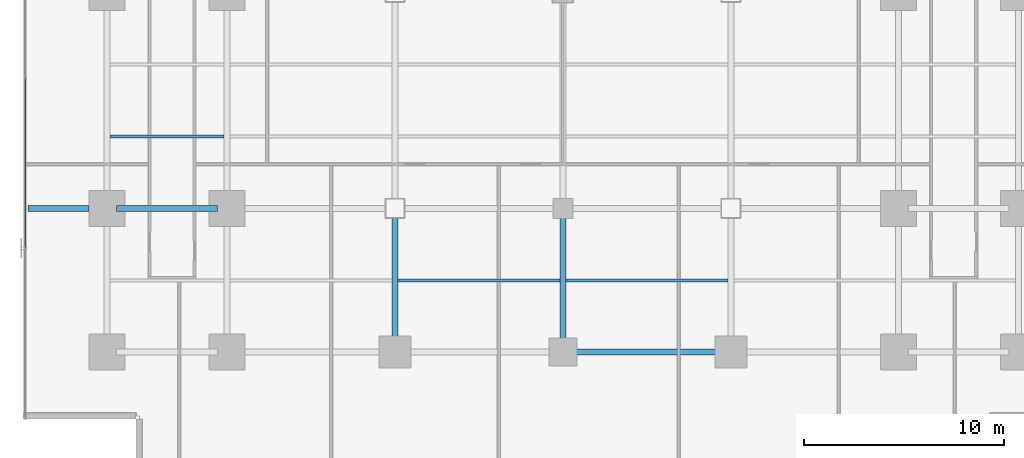
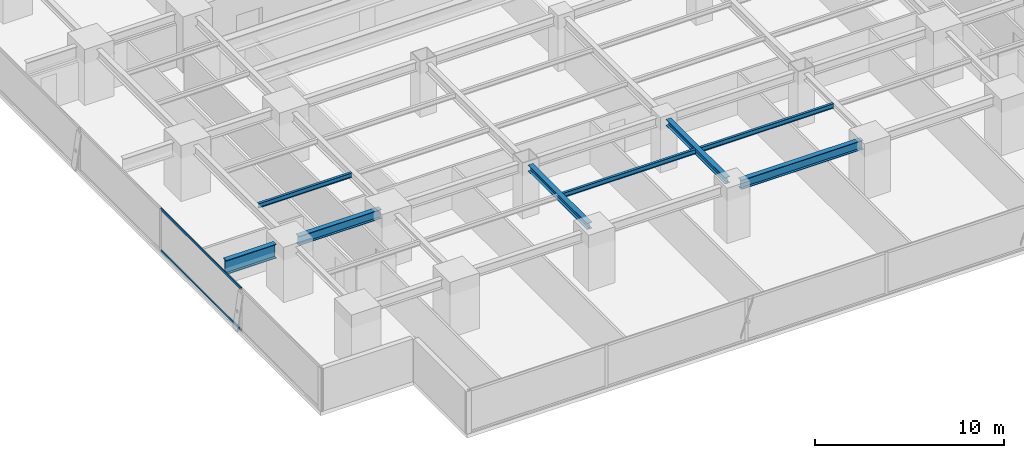
# One storey, part 6 of 34: 8 beams, 2 members, 1 element without a shape of its own.
"""IFC4 building model written with IfcOpenShell, lengths in metres."""

from ifc_helpers import new_model, si_unit, direction, frame, origin, origin_2d, place, context, subcontext, project, spatial, hollow_rectangle, i_section, extrude, source, transform, mapped, material, layer, layer_set, material_profile, profile_set, type_object, element, aggregate, save


model = new_model("IFC4")

# Units and contexts
model_context = context("Model", 3, precision=1e-05, world=origin(), true_north=direction((0.0, 1.0)))
body_context = subcontext(model_context, "Body", "Model", "MODEL_VIEW")
ifc_project = project(units=[si_unit("LENGTHUNIT", "METRE"), si_unit("AREAUNIT", "SQUARE_METRE"), si_unit("VOLUMEUNIT", "CUBIC_METRE"), si_unit("PLANEANGLEUNIT", "RADIAN"), si_unit("MASSUNIT", "GRAM", prefix="KILO")], contexts=[model_context])

# Site, building, storey
site_placement = place(None, origin())
site = spatial("IfcSite", under=ifc_project, at=site_placement, CompositionType="ELEMENT")
building_placement = place(site_placement, origin())
building = spatial("IfcBuilding", under=site, at=building_placement, Name="Sumidabori Civic Tower", CompositionType="ELEMENT")
storey_placement = place(building_placement, frame((0.0, 0.0, 34.39990234375)))
storey = spatial("IfcBuildingStorey", under=building, at=storey_placement, Name="L08", CompositionType="ELEMENT", Elevation=34.39990234375)

# Beams
ifc_material_1 = material(Name="Steel SN490", Category="steel")
ifc_material_profile_1 = material_profile(ifc_material_1, i_section(OverallWidth=0.300048828125, OverallDepth=0.60009765625, WebThickness=0.015380859375, FlangeThickness=0.030029296875, at=origin_2d()), Name="HE 600 B")
ifc_profile_set_1 = profile_set([ifc_material_profile_1], Name="Steel SN490")
beam_type_1 = type_object("IfcBeamType", Name="BM-GIRD-600", PredefinedType="BEAM", material=ifc_profile_set_1)
shared_shape_1 = source(origin(), body_context, "Body", "SweptSolid", [
    extrude(i_section(OverallWidth=0.300048828125, OverallDepth=0.60009765625, WebThickness=0.015380859375, FlangeThickness=0.030029296875, at=origin_2d()), origin(), (0.0, 0.0, 1.0), 5.0400390625),
])
beam_1_placement = place(storey_placement, frame((-22.320068359375, -10.800048828125, 3.06005859375), z_axis=(1.0, 0.0, 0.0), x_axis=(0.0, 1.0, 0.0)))
element("IfcBeam", 1, at=beam_1_placement, inside=storey, type_object=beam_type_1, Name="Primary Girder L08 GX-07", PredefinedType="BEAM", context=body_context, shape_type="MappedRepresentation", body=[
    mapped(shared_shape_1, transform((0.0, 0.0, 0.0), x_axis=(1.0, 0.0, 0.0), y_axis=(0.0, 1.0, 0.0), z_axis=(0.0, 0.0, 1.0), scale=1.0)),
])
shared_shape_2 = source(origin(), body_context, "Body", "SweptSolid", [
    extrude(i_section(OverallWidth=0.300048828125, OverallDepth=0.60009765625, WebThickness=0.015380859375, FlangeThickness=0.030029296875, at=origin_2d()), origin(), (0.0, 0.0, 1.0), 7.43994140625),
])
beam_2_placement = place(storey_placement, frame((0.47998046875, -18.0, 3.06005859375), z_axis=(1.0, 0.0, 0.0), x_axis=(0.0, 1.0, 0.0)))
element("IfcBeam", 2, at=beam_2_placement, inside=storey, type_object=beam_type_1, Name="Primary Girder L08 GX-04", PredefinedType="BEAM", context=body_context, shape_type="MappedRepresentation", body=[
    mapped(shared_shape_2, transform((0.0, 0.0, 0.0), x_axis=(1.0, 0.0, 0.0), y_axis=(0.0, 1.0, 0.0), z_axis=(0.0, 0.0, 1.0), scale=1.0)),
])
ifc_material_profile_2 = material_profile(ifc_material_1, i_section(OverallWidth=0.300048828125, OverallDepth=0.39990234375, WebThickness=0.013427734375, FlangeThickness=0.02392578125, at=origin_2d()), Name="HE 400 B")
ifc_profile_set_2 = profile_set([ifc_material_profile_2], Name="Steel SN490")
beam_type_2 = type_object("IfcBeamType", Name="BM-GIRD-400", PredefinedType="BEAM", material=ifc_profile_set_2)
shared_shape_3 = source(origin(), body_context, "Body", "SweptSolid", [
    extrude(i_section(OverallWidth=0.300048828125, OverallDepth=0.39990234375, WebThickness=0.013427734375, FlangeThickness=0.02392578125, at=origin_2d()), origin(), (0.0, 0.0, 1.0), 6.239990234375),
])
for number, where, z_axis, x_axis, name in (
    (3, (-8.39990234375, -17.52001953125, 3.16015625), (0.0, 1.0, 0.0), (-1.0, 0.0, 0.0), "Primary Girder L08 GY-29"),
    (4, (0.0, -17.52001953125, 3.16015625), (0.0, 1.0, 0.0), (-1.0, 0.0, 0.0), "Primary Girder L08 GY-31"),
):
    element("IfcBeam", number, at=place(storey_placement, frame(where, z_axis=z_axis, x_axis=x_axis)), inside=storey, type_object=beam_type_2, Name=name, PredefinedType="BEAM", context=body_context, shape_type="MappedRepresentation", body=[
        mapped(shared_shape_3, transform((0.0, 0.0, 0.0), x_axis=(1.0, 0.0, 0.0), y_axis=(0.0, 1.0, 0.0), z_axis=(0.0, 0.0, 1.0), scale=1.0)),
    ])
ifc_material_profile_3 = material_profile(ifc_material_1, i_section(OverallWidth=0.302001953125, OverallDepth=0.909912109375, WebThickness=0.02099609375, FlangeThickness=0.0400390625, at=origin_2d()), Name="HE 900 M")
ifc_profile_set_3 = profile_set([ifc_material_profile_3], Name="Steel SN490")
beam_type_3 = type_object("IfcBeamType", Name="BM-Z1-EDGE", PredefinedType="SPANDREL", material=ifc_profile_set_3)
shared_shape_4 = source(origin(), body_context, "Body", "SweptSolid", [
    extrude(i_section(OverallWidth=0.302001953125, OverallDepth=0.909912109375, WebThickness=0.02099609375, FlangeThickness=0.0400390625, at=origin_2d()), origin(), (0.0, 0.0, 1.0), 3.050048828125),
])
beam_3_placement = place(storey_placement, frame((-26.75, -10.800048828125, 2.905029296875), z_axis=(1.0, 0.0, 0.0), x_axis=(0.0, 1.0, 0.0)))
element("IfcBeam", 5, at=beam_3_placement, inside=storey, type_object=beam_type_3, Name="Perimeter Overhang Beam L08 W-44", PredefinedType="SPANDREL", context=body_context, shape_type="MappedRepresentation", body=[
    mapped(shared_shape_4, transform((0.0, 0.0, 0.0), x_axis=(1.0, 0.0, 0.0), y_axis=(0.0, 1.0, 0.0), z_axis=(0.0, 0.0, 1.0), scale=1.0)),
])
ifc_material_profile_4 = material_profile(ifc_material_1, i_section(OverallWidth=0.14990234375, OverallDepth=0.300048828125, WebThickness=0.007080078125, FlangeThickness=0.0107421875, at=origin_2d()), Name="IPE 300")
ifc_profile_set_4 = profile_set([ifc_material_profile_4], Name="Steel SN490")
beam_type_4 = type_object("IfcBeamType", Name="BM-JST-300", PredefinedType="JOIST", material=ifc_profile_set_4)
shared_shape_5 = source(origin(), body_context, "Body", "SweptSolid", [
    extrude(i_section(OverallWidth=0.14990234375, OverallDepth=0.300048828125, WebThickness=0.007080078125, FlangeThickness=0.0107421875, at=origin_2d()), origin(), (0.0, 0.0, 1.0), 5.699951171875),
])
beam_4_placement = place(storey_placement, frame((-22.64990234375, -7.199951171875, 3.210205078125), z_axis=(1.0, 0.0, 0.0), x_axis=(0.0, 1.0, 0.0)))
element("IfcBeam", 6, at=beam_4_placement, inside=storey, type_object=beam_type_4, Name="Outer Bay Floor Joist L08 JSTO-49", PredefinedType="JOIST", context=body_context, shape_type="MappedRepresentation", body=[
    mapped(shared_shape_5, transform((0.0, 0.0, 0.0), x_axis=(1.0, 0.0, 0.0), y_axis=(0.0, 1.0, 0.0), z_axis=(0.0, 0.0, 1.0), scale=1.0)),
])
shared_shape_6 = source(origin(), body_context, "Body", "SweptSolid", [
    extrude(i_section(OverallWidth=0.14990234375, OverallDepth=0.300048828125, WebThickness=0.007080078125, FlangeThickness=0.0107421875, at=origin_2d()), origin(), (0.0, 0.0, 1.0), 8.10009765625),
])
for number, where, z_axis, x_axis, name in (
    (7, (-8.25, -14.39990234375, 3.210205078125), (1.0, 0.0, 0.0), (0.0, 1.0, 0.0), "South Bay Floor Joist L08 JSTS-62"),
    (8, (0.14990234375, -14.39990234375, 3.210205078125), (1.0, 0.0, 0.0), (0.0, 1.0, 0.0), "South Bay Floor Joist L08 JSTS-63"),
):
    element("IfcBeam", number, at=place(storey_placement, frame(where, z_axis=z_axis, x_axis=x_axis)), inside=storey, type_object=beam_type_4, Name=name, PredefinedType="JOIST", context=body_context, shape_type="MappedRepresentation", body=[
        mapped(shared_shape_6, transform((0.0, 0.0, 0.0), x_axis=(1.0, 0.0, 0.0), y_axis=(0.0, 1.0, 0.0), z_axis=(0.0, 0.0, 1.0), scale=1.0)),
    ])

# Curtain wall, members
ifc_material_2 = material(Name="Anodised Bronze Aluminium AW-6063-T6", Category="aluminium")
ifc_layer = layer(ifc_material_2, 0.179931640625, Name="Anodised Bronze Aluminium AW-6063-T6")
ifc_layer_set = layer_set([ifc_layer], Name="Anodised Bronze Aluminium AW-6063-T6")
curtain_wall_type = type_object("IfcCurtainWallType", Name="CW-SYS-2", PredefinedType="NOTDEFINED", material=ifc_layer_set)
curtain_wall_placement = place(storey_placement, origin())
curtain_wall = element("IfcCurtainWall", 9, at=curtain_wall_placement, inside=storey, type_object=curtain_wall_type, Name="Curtain Wall CW:L08:R10", PredefinedType="NOTDEFINED")
ifc_material_profile_5 = material_profile(ifc_material_2, hollow_rectangle(XDim=0.06494140625, YDim=0.14990234375, WallThickness=0.0048828125, at=origin_2d()), Name="ALU TRANSOM 150x65")
ifc_profile_set_5 = profile_set([ifc_material_profile_5], Name="Anodised Bronze Aluminium AW-6063-T6")
member_type = type_object("IfcMemberType", Name="CW-TRN-150", PredefinedType="USERDEFINED", material=ifc_profile_set_5)
shared_shape_7 = source(origin(), body_context, "Body", "SweptSolid", [
    extrude(hollow_rectangle(XDim=0.06494140625, YDim=0.14990234375, WallThickness=0.0048828125, at=origin_2d()), origin(), (0.0, 0.0, 1.0), 8.4580078125),
])
member_1_placement = place(storey_placement, frame((-26.8798828125, -4.299072265625, 0.03271484375), z_axis=(0.0, -1.0, 0.0), x_axis=(1.0, 0.0, 0.0)))
member_1 = element("IfcMember", 10, at=member_1_placement, type_object=member_type, Name="CW-2 transom 4.1", ObjectType="TRANSOM", PredefinedType="USERDEFINED", context=body_context, shape_type="MappedRepresentation", body=[
    mapped(shared_shape_7, transform((0.0, 0.0, 0.0), x_axis=(1.0, 0.0, 0.0), y_axis=(0.0, 1.0, 0.0), z_axis=(0.0, 0.0, 1.0), scale=1.0)),
])
member_2_placement = place(storey_placement, frame((-26.8798828125, -4.299072265625, 2.70751953125), z_axis=(0.0, -1.0, 0.0), x_axis=(1.0, 0.0, 0.0)))
member_2 = element("IfcMember", 11, at=member_2_placement, type_object=member_type, Name="CW-2 transom 4.2", ObjectType="TRANSOM", PredefinedType="USERDEFINED", context=body_context, shape_type="MappedRepresentation", body=[
    mapped(shared_shape_7, transform((0.0, 0.0, 0.0), x_axis=(1.0, 0.0, 0.0), y_axis=(0.0, 1.0, 0.0), z_axis=(0.0, 0.0, 1.0), scale=1.0)),
])
aggregate(curtain_wall, [member_1, member_2])

save(model, "model.ifc")
